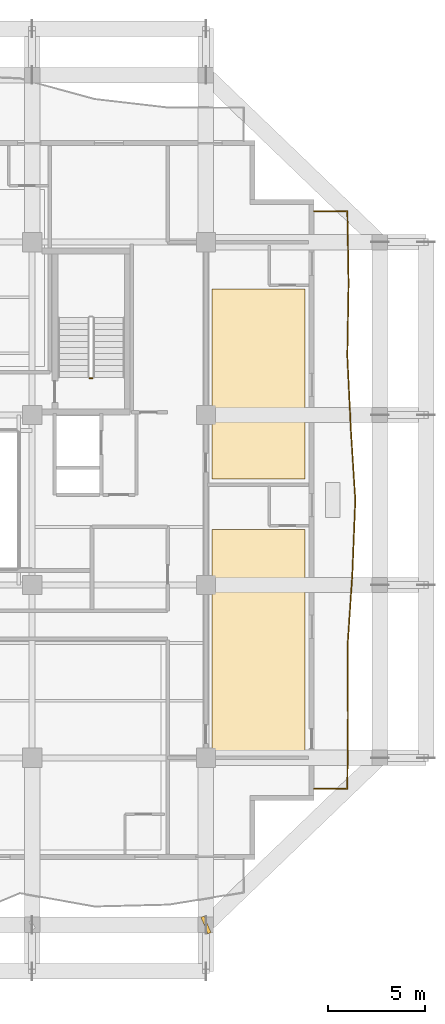
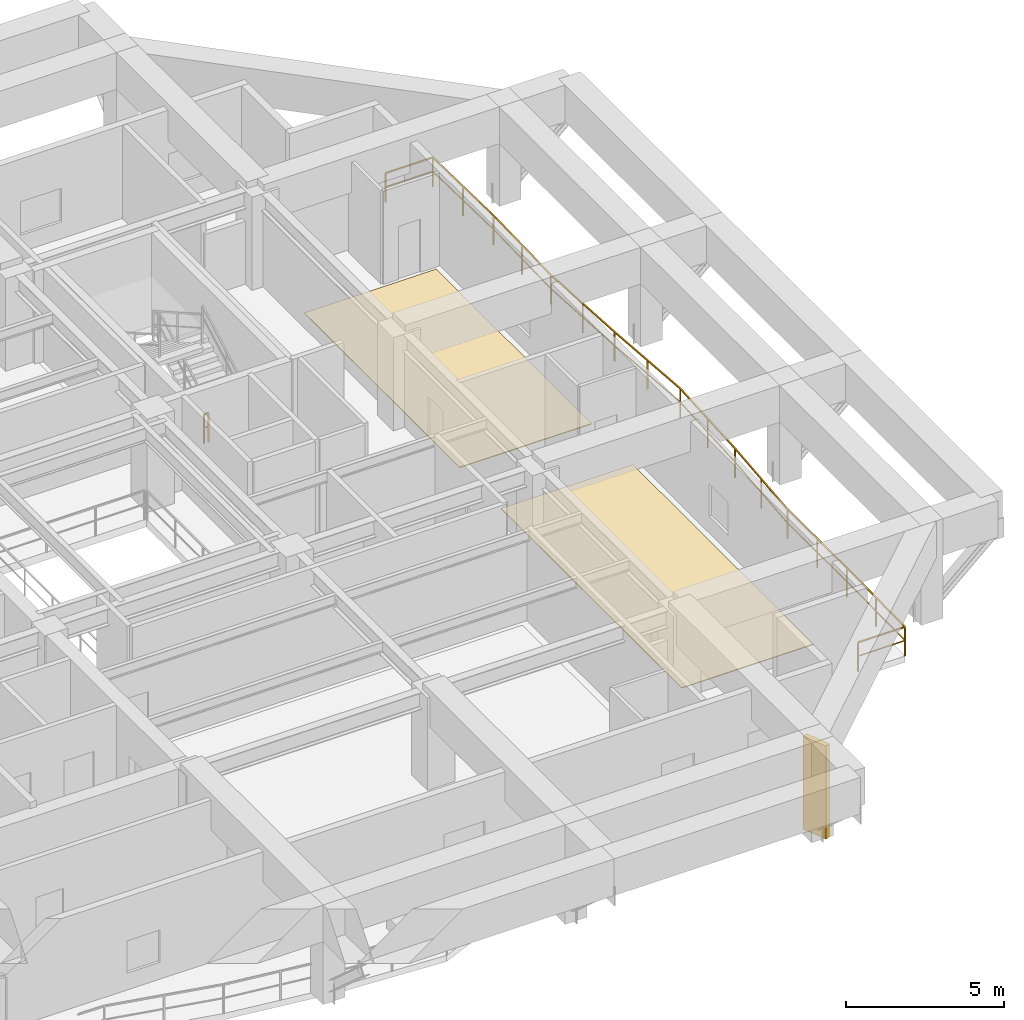
# One storey, part 9 of 11: 2 coverings, 2 railings, 1 shading device.
"""IFC4 building model written with IfcOpenShell, lengths in metres."""

from ifc_helpers import new_model, si_unit, direction, frame, origin, origin_2d, place, context, subcontext, project, spatial, polyline, rectangle, outline, extrude, material, layer, layer_set, type_object, element, save


model = new_model("IFC4")

# Units and contexts
model_context = context("Model", 3, precision=1e-05, world=origin(), true_north=direction((0.0, 1.0)))
body_context = subcontext(model_context, "Body", "Model", "MODEL_VIEW")
ifc_project = project(units=[si_unit("LENGTHUNIT", "METRE"), si_unit("AREAUNIT", "SQUARE_METRE"), si_unit("VOLUMEUNIT", "CUBIC_METRE"), si_unit("PLANEANGLEUNIT", "RADIAN"), si_unit("MASSUNIT", "GRAM", prefix="KILO")], contexts=[model_context])

# Site, building, storey
site_placement = place(None, origin())
site = spatial("IfcSite", under=ifc_project, at=site_placement, CompositionType="ELEMENT")
building_placement = place(site_placement, origin())
building = spatial("IfcBuilding", under=site, at=building_placement, Name="Kundavana Baori Tower", CompositionType="ELEMENT")
storey_placement = place(building_placement, frame((0.0, 0.0, 154.050048828125)))
storey = spatial("IfcBuildingStorey", under=building, at=storey_placement, Name="L37", CompositionType="ELEMENT", Elevation=154.050048828125)

# Coverings
ifc_material_1 = material(Name="Honed Kota Stone and Terrazzo Flooring", Category="masonry")
ifc_layer = layer(ifc_material_1, 0.030029296875, Name="COV-INT-FLR")
ifc_layer_set = layer_set([ifc_layer], Name="Honed Kota Stone and Terrazzo Flooring")
covering_type = type_object("IfcCoveringType", Name="COV-INT-FLR", PredefinedType="FLOORING", material=ifc_layer_set)
covering_1_placement = place(storey_placement, origin())
element("IfcCovering", 1, at=covering_1_placement, inside=storey, type_object=covering_type, Name="L37 Room Finished Stone Flooring 4", PredefinedType="FLOORING", context=body_context, shape_type="SweptSolid", body=[
    extrude(outline(polyline([(43.10009765625, 15.6298828125), (47.919921875, 15.6298828125), (47.919921875, 27.070068359375), (43.10009765625, 27.070068359375), (43.10009765625, 15.6298828125)])), origin(), (0.0, 0.0, 1.0), 0.030029296875),
])
covering_2_placement = place(storey_placement, origin())
element("IfcCovering", 2, at=covering_2_placement, inside=storey, type_object=covering_type, Name="L37 Room Finished Stone Flooring 5", PredefinedType="FLOORING", context=body_context, shape_type="SweptSolid", body=[
    extrude(outline(polyline([(43.10009765625, 29.679931640625), (47.919921875, 29.679931640625), (47.919921875, 39.52001953125), (43.10009765625, 39.52001953125), (43.10009765625, 29.679931640625)])), origin(), (0.0, 0.0, 1.0), 0.030029296875),
])

# Railings
ifc_material_2 = material(Name="Architectural Patinated Bronze Metalwork")
railing_type_1 = type_object("IfcRailingType", Name="RL-BAL-1150", PredefinedType="BALUSTRADE", material=ifc_material_2)
railing_1_placement = place(storey_placement, frame((48.39990234375, 43.550048828125, 0.0)))
element("IfcRailing", 3, at=railing_1_placement, inside=storey, type_object=railing_type_1, Name="L37 Loggia Balcony Balustrade E", PredefinedType="BALUSTRADE", context=body_context, shape_type="SweptSolid", body=[
    extrude(rectangle(XDim=0.048095703125, YDim=0.048095703125, at=origin_2d()), frame((0.0, 0.0, 1.1259765625), z_axis=(1.0, 0.0, 0.0), x_axis=(0.0, 1.0, 0.0)), (0.0, 0.0, 1.0), 1.72021484375),
    extrude(rectangle(XDim=0.03125, YDim=0.03125, at=origin_2d()), frame((0.0, 0.0, 0.597900390625), z_axis=(1.0, 0.0, 0.0), x_axis=(0.0, 1.0, 0.0)), (0.0, 0.0, 1.0), 1.72021484375),
    extrude(rectangle(XDim=0.048095703125, YDim=0.048095703125, at=origin_2d()), frame((1.72021484375, 0.0, 1.1259765625), z_axis=(0.017370509194, -0.999849121323, 0.0), x_axis=(0.999849121323, 0.017370509194, 0.0)), (0.0, 0.0, 1.0), 3.738525390625),
    extrude(rectangle(XDim=0.03125, YDim=0.03125, at=origin_2d()), frame((1.72021484375, 0.0, 0.597900390625), z_axis=(0.017370509194, -0.999849121323, 0.0), x_axis=(0.999849121323, 0.017370509194, 0.0)), (0.0, 0.0, 1.0), 3.738525390625),
    extrude(rectangle(XDim=0.048095703125, YDim=0.048095703125, at=origin_2d()), frame((1.78515625, -3.738037109375, 1.1259765625), z_axis=(-0.017375047057, -0.999849042476, 0.0), x_axis=(0.999849042476, -0.017375047057, 0.0)), (0.0, 0.0, 1.0), 3.737548828125),
    extrude(rectangle(XDim=0.03125, YDim=0.03125, at=origin_2d()), frame((1.78515625, -3.738037109375, 0.597900390625), z_axis=(-0.017375047057, -0.999849042476, 0.0), x_axis=(0.999849042476, -0.017375047057, 0.0)), (0.0, 0.0, 1.0), 3.737548828125),
    extrude(rectangle(XDim=0.048095703125, YDim=0.048095703125, at=origin_2d()), frame((1.72021484375, -7.47509765625, 1.1259765625), z_axis=(0.04697310634, -0.998896154403, 0.0), x_axis=(0.998896154403, 0.04697310634, 0.0)), (0.0, 0.0, 1.0), 3.7421875),
    extrude(rectangle(XDim=0.03125, YDim=0.03125, at=origin_2d()), frame((1.72021484375, -7.47509765625, 0.597900390625), z_axis=(0.04697310634, -0.998896154403, 0.0), x_axis=(0.998896154403, 0.04697310634, 0.0)), (0.0, 0.0, 1.0), 3.7421875),
    extrude(rectangle(XDim=0.048095703125, YDim=0.048095703125, at=origin_2d()), frame((1.89599609375, -11.213134765625, 1.1259765625), z_axis=(0.06357166107, -0.997977276249, 0.0), x_axis=(0.997977276249, 0.06357166107, 0.0)), (0.0, 0.0, 1.0), 3.744384765625),
    extrude(rectangle(XDim=0.03125, YDim=0.03125, at=origin_2d()), frame((1.89599609375, -11.213134765625, 0.597900390625), z_axis=(0.06357166107, -0.997977276249, 0.0), x_axis=(0.997977276249, 0.06357166107, 0.0)), (0.0, 0.0, 1.0), 3.744384765625),
    extrude(rectangle(XDim=0.048095703125, YDim=0.048095703125, at=origin_2d()), frame((2.134033203125, -14.949951171875, 1.1259765625), z_axis=(-0.040069681218, -0.999196887829, 0.0), x_axis=(0.999196887829, -0.040069681218, 0.0)), (0.0, 0.0, 1.0), 3.740966796875),
    extrude(rectangle(XDim=0.03125, YDim=0.03125, at=origin_2d()), frame((2.134033203125, -14.949951171875, 0.597900390625), z_axis=(-0.040069681218, -0.999196887829, 0.0), x_axis=(0.999196887829, -0.040069681218, 0.0)), (0.0, 0.0, 1.0), 3.740966796875),
    extrude(rectangle(XDim=0.048095703125, YDim=0.048095703125, at=origin_2d()), frame((1.984130859375, -18.68798828125, 1.1259765625), z_axis=(-0.06545026823, -0.997855832467, 0.0), x_axis=(0.997855832467, -0.06545026823, 0.0)), (0.0, 0.0, 1.0), 3.7451171875),
    extrude(rectangle(XDim=0.03125, YDim=0.03125, at=origin_2d()), frame((1.984130859375, -18.68798828125, 0.597900390625), z_axis=(-0.06545026823, -0.997855832467, 0.0), x_axis=(0.997855832467, -0.06545026823, 0.0)), (0.0, 0.0, 1.0), 3.7451171875),
    extrude(rectangle(XDim=0.048095703125, YDim=0.048095703125, at=origin_2d()), frame((1.739013671875, -22.425048828125, 1.1259765625), z_axis=(0.003526854167, -0.999993780631, 0.0), x_axis=(0.999993780631, 0.003526854167, 0.0)), (0.0, 0.0, 1.0), 3.738037109375),
    extrude(rectangle(XDim=0.03125, YDim=0.03125, at=origin_2d()), frame((1.739013671875, -22.425048828125, 0.597900390625), z_axis=(0.003526854167, -0.999993780631, 0.0), x_axis=(0.999993780631, 0.003526854167, 0.0)), (0.0, 0.0, 1.0), 3.738037109375),
    extrude(rectangle(XDim=0.048095703125, YDim=0.048095703125, at=origin_2d()), frame((1.752197265625, -26.1630859375, 1.1259765625), z_axis=(-0.008557862605, -0.999963380823, 0.0), x_axis=(0.999963380823, -0.008557862605, 0.0)), (0.0, 0.0, 1.0), 3.7373046875),
    extrude(rectangle(XDim=0.03125, YDim=0.03125, at=origin_2d()), frame((1.752197265625, -26.1630859375, 0.597900390625), z_axis=(-0.008557862605, -0.999963380823, 0.0), x_axis=(0.999963380823, -0.008557862605, 0.0)), (0.0, 0.0, 1.0), 3.7373046875),
    extrude(rectangle(XDim=0.048095703125, YDim=0.048095703125, at=origin_2d()), frame((1.72021484375, -29.900146484375, 1.1259765625), z_axis=(-1.0, 0.0, 0.0), x_axis=(0.0, -1.0, 0.0)), (0.0, 0.0, 1.0), 1.72021484375),
    extrude(rectangle(XDim=0.03125, YDim=0.03125, at=origin_2d()), frame((1.72021484375, -29.900146484375, 0.597900390625), z_axis=(-1.0, 0.0, 0.0), x_axis=(0.0, -1.0, 0.0)), (0.0, 0.0, 1.0), 1.72021484375),
    extrude(rectangle(XDim=0.0419921875, YDim=0.0419921875, at=origin_2d()), origin(), (0.0, 0.0, 1.0), 1.101806640625),
    extrude(rectangle(XDim=0.0419921875, YDim=0.0419921875, at=origin_2d()), frame((1.72021484375, 0.0, 0.0)), (0.0, 0.0, 1.0), 1.101806640625),
    extrude(rectangle(XDim=0.0419921875, YDim=0.0419921875, at=origin_2d()), frame((1.752685546875, -1.869140625, 0.0)), (0.0, 0.0, 1.0), 1.101806640625),
    extrude(rectangle(XDim=0.0419921875, YDim=0.0419921875, at=origin_2d()), frame((1.78515625, -3.738037109375, 0.0)), (0.0, 0.0, 1.0), 1.101806640625),
    extrude(rectangle(XDim=0.0419921875, YDim=0.0419921875, at=origin_2d()), frame((1.752685546875, -5.6064453125, 0.0)), (0.0, 0.0, 1.0), 1.101806640625),
    extrude(rectangle(XDim=0.0419921875, YDim=0.0419921875, at=origin_2d()), frame((1.72021484375, -7.47509765625, 0.0)), (0.0, 0.0, 1.0), 1.101806640625),
    extrude(rectangle(XDim=0.0419921875, YDim=0.0419921875, at=origin_2d()), frame((1.80810546875, -9.34423828125, 0.0)), (0.0, 0.0, 1.0), 1.101806640625),
    extrude(rectangle(XDim=0.0419921875, YDim=0.0419921875, at=origin_2d()), frame((1.89599609375, -11.213134765625, 0.0)), (0.0, 0.0, 1.0), 1.101806640625),
    extrude(rectangle(XDim=0.0419921875, YDim=0.0419921875, at=origin_2d()), frame((2.01513671875, -13.08154296875, 0.0)), (0.0, 0.0, 1.0), 1.101806640625),
    extrude(rectangle(XDim=0.0419921875, YDim=0.0419921875, at=origin_2d()), frame((2.134033203125, -14.949951171875, 0.0)), (0.0, 0.0, 1.0), 1.101806640625),
    extrude(rectangle(XDim=0.0419921875, YDim=0.0419921875, at=origin_2d()), frame((2.05908203125, -16.81884765625, 0.0)), (0.0, 0.0, 1.0), 1.101806640625),
    extrude(rectangle(XDim=0.0419921875, YDim=0.0419921875, at=origin_2d()), frame((1.984130859375, -18.68798828125, 0.0)), (0.0, 0.0, 1.0), 1.101806640625),
    extrude(rectangle(XDim=0.0419921875, YDim=0.0419921875, at=origin_2d()), frame((1.861572265625, -20.556640625, 0.0)), (0.0, 0.0, 1.0), 1.101806640625),
    extrude(rectangle(XDim=0.0419921875, YDim=0.0419921875, at=origin_2d()), frame((1.739013671875, -22.425048828125, 0.0)), (0.0, 0.0, 1.0), 1.101806640625),
    extrude(rectangle(XDim=0.0419921875, YDim=0.0419921875, at=origin_2d()), frame((1.74560546875, -24.2939453125, 0.0)), (0.0, 0.0, 1.0), 1.101806640625),
    extrude(rectangle(XDim=0.0419921875, YDim=0.0419921875, at=origin_2d()), frame((1.752197265625, -26.1630859375, 0.0)), (0.0, 0.0, 1.0), 1.101806640625),
    extrude(rectangle(XDim=0.0419921875, YDim=0.0419921875, at=origin_2d()), frame((1.736328125, -28.03173828125, 0.0)), (0.0, 0.0, 1.0), 1.101806640625),
    extrude(rectangle(XDim=0.0419921875, YDim=0.0419921875, at=origin_2d()), frame((1.72021484375, -29.900146484375, 0.0)), (0.0, 0.0, 1.0), 1.101806640625),
    extrude(rectangle(XDim=0.0419921875, YDim=0.0419921875, at=origin_2d()), frame((0.0, -29.900146484375, 0.0)), (0.0, 0.0, 1.0), 1.101806640625),
])
ifc_material_3 = material(Name="Architectural Patinated Bronze Metalwork")
railing_type_2 = type_object("IfcRailingType", Name="RL-GRD-1150", PredefinedType="GUARDRAIL", material=ifc_material_3)
railing_2_placement = place(storey_placement, frame((36.929931640625, 34.89990234375, 0.0)))
element("IfcRailing", 4, at=railing_2_placement, inside=storey, type_object=railing_type_2, Name="L37 ST3 stair guard 4", PredefinedType="GUARDRAIL", context=body_context, shape_type="SweptSolid", body=[
    extrude(rectangle(XDim=0.048095703125, YDim=0.048095703125, at=origin_2d()), frame((0.0, 0.0, 1.1259765625), z_axis=(-1.0, 0.0, 0.0), x_axis=(0.0, -1.0, 0.0)), (0.0, 0.0, 1.0), 0.159912109375),
    extrude(rectangle(XDim=0.03125, YDim=0.03125, at=origin_2d()), frame((0.0, 0.0, 0.597900390625), z_axis=(-1.0, 0.0, 0.0), x_axis=(0.0, -1.0, 0.0)), (0.0, 0.0, 1.0), 0.159912109375),
    extrude(rectangle(XDim=0.0419921875, YDim=0.0419921875, at=origin_2d()), origin(), (0.0, 0.0, 1.0), 1.101806640625),
    extrude(rectangle(XDim=0.0419921875, YDim=0.0419921875, at=origin_2d()), frame((-0.159912109375, 0.0, 0.0)), (0.0, 0.0, 1.0), 1.101806640625),
])

# Shading device
ifc_material_4 = material(Name="Red-Buff Dholpur Sandstone Cladding on Concrete C40/50", Category="masonry")
shading_device_type = type_object("IfcShadingDeviceType", Name="SHD-FIN-920", PredefinedType="JALOUSIE", material=ifc_material_4)
shading_device_placement = place(storey_placement, frame((42.800048828125, 6.60009765625, 0.0), z_axis=(0.0, 0.0, 1.0), x_axis=(0.923612143954, 0.383328328644, 0.0)))
element("IfcShadingDevice", 5, at=shading_device_placement, inside=storey, type_object=shading_device_type, Name="L37 Sweeping Dholpur Sandstone Facade Fin 4", PredefinedType="JALOUSIE", context=body_context, shape_type="SweptSolid", body=[
    extrude(rectangle(XDim=0.179931640625, YDim=0.919921875, at=origin_2d()), origin(), (0.0, 0.0, 1.0), 3.60009765625),
])

save(model, "model.ifc")
